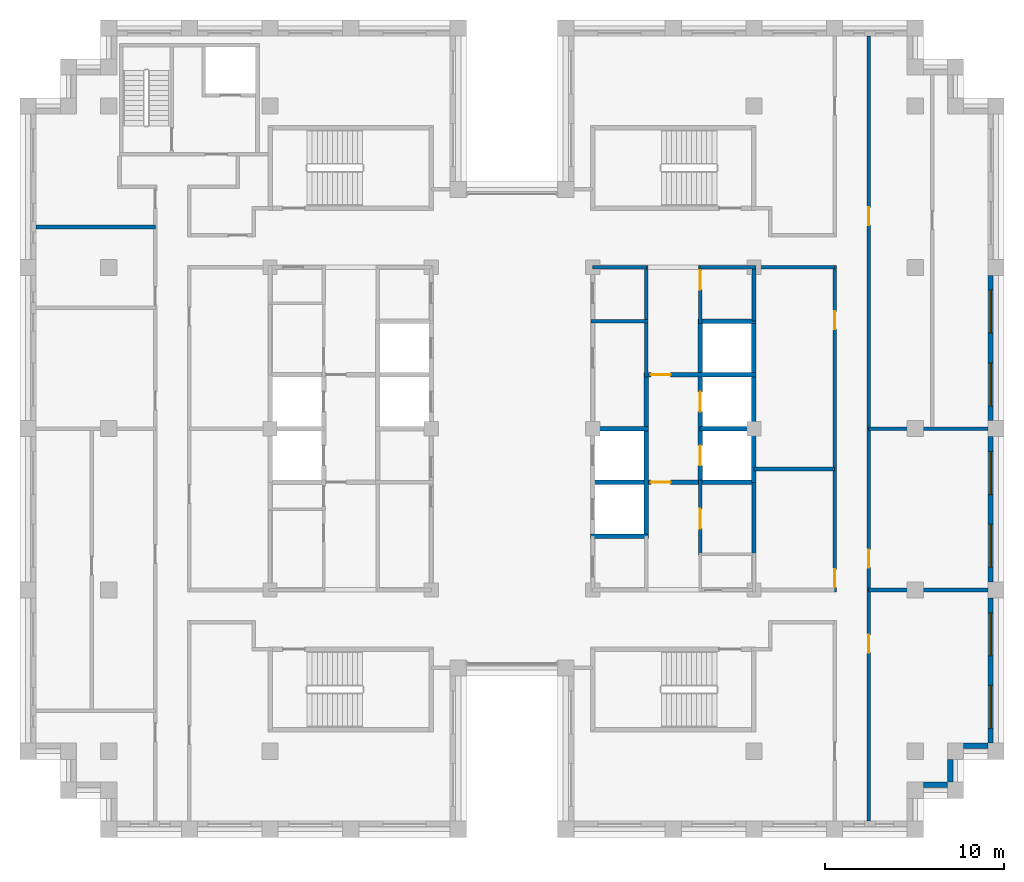
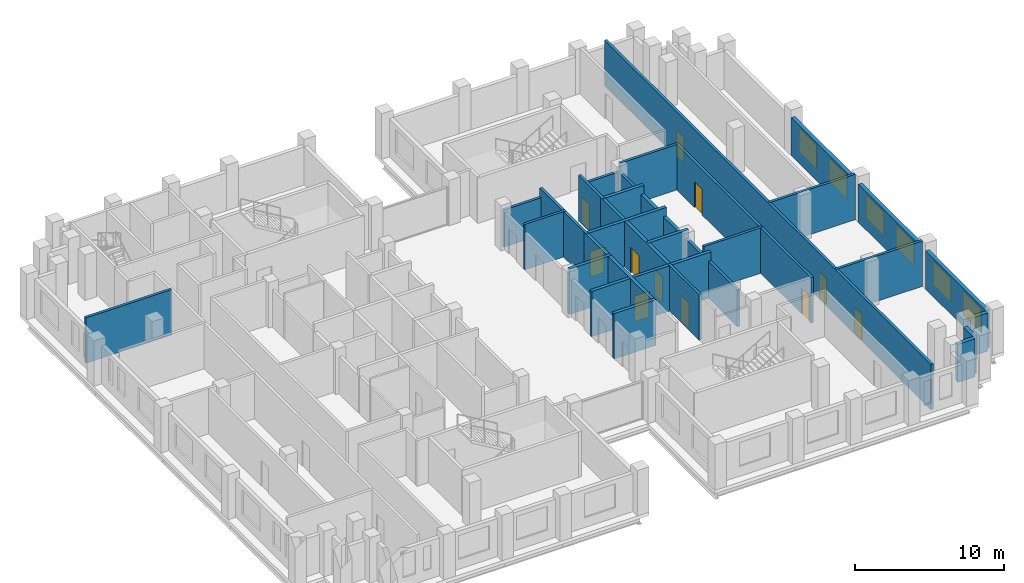
# One storey, part 9 of 13: 30 walls, 11 doors, 6 windows, 17 openings.
"""IFC4 building model written with IfcOpenShell, lengths in metres."""

from ifc_helpers import new_model, si_unit, direction, frame, frame_2d, origin, place, context, subcontext, project, spatial, rectangle, extrude, material, layer, layer_set, type_object, element, fill, save


model = new_model("IFC4")

# Units and contexts
model_context = context("Model", 3, precision=1e-05, world=origin(), true_north=direction((0.0, 1.0)))
body_context = subcontext(model_context, "Body", "Model", "MODEL_VIEW")
ifc_project = project(units=[si_unit("LENGTHUNIT", "METRE"), si_unit("AREAUNIT", "SQUARE_METRE"), si_unit("VOLUMEUNIT", "CUBIC_METRE"), si_unit("PLANEANGLEUNIT", "RADIAN"), si_unit("MASSUNIT", "GRAM", prefix="KILO")], contexts=[model_context])

# Site, building, storey
site_placement = place(None, origin())
site = spatial("IfcSite", under=ifc_project, at=site_placement, CompositionType="ELEMENT")
building_placement = place(site_placement, origin())
building = spatial("IfcBuilding", under=site, at=building_placement, Name="Corbelhall Arena Tower", CompositionType="ELEMENT")
storey_placement = place(building_placement, frame((0.0, 0.0, 266.0)))
storey = spatial("IfcBuildingStorey", under=building, at=storey_placement, Name="L57", CompositionType="ELEMENT", Elevation=266.0)

# Walls
ifc_material_1 = material(Name="Precast concrete C40/50 with granite facing", Category="masonry")
ifc_layer_1 = layer(ifc_material_1, 0.300048828125)
ifc_layer_set_1 = layer_set([ifc_layer_1], Name="EV-IW1 Infill panel 300")
wall_type_1 = type_object("IfcWallType", Name="EV-IW1 Infill panel 300", PredefinedType="SOLIDWALL", material=ifc_layer_set_1)
wall_1_placement = place(storey_placement, frame((22.949951171875, -19.875, 0.0), z_axis=(0.0, 0.0, 1.0), x_axis=(1.0, 0.0, 0.0)))
element("IfcWall", 1, at=wall_1_placement, inside=storey, type_object=wall_type_1, Name="Infill panel IW1", PredefinedType="SOLIDWALL", context=body_context, shape_type="SweptSolid", body=[
    extrude(rectangle(XDim=1.35009765625, YDim=0.300048828125, at=frame_2d((0.675048828125, 0.0))), origin(), (0.0, 0.0, 1.0), 3.1201171875),
])
wall_2_placement = place(storey_placement, frame((24.449951171875, -19.72509765625, 0.0), z_axis=(0.0, 0.0, 1.0), x_axis=(0.0, 1.0, 0.0)))
element("IfcWall", 2, at=wall_2_placement, inside=storey, type_object=wall_type_1, Name="Infill panel IW1", PredefinedType="SOLIDWALL", context=body_context, shape_type="SweptSolid", body=[
    extrude(rectangle(XDim=1.275146484375, YDim=0.300048828125, at=frame_2d((0.6376953125, 0.0))), origin(), (0.0, 0.0, 1.0), 3.1201171875),
])
wall_3_placement = place(storey_placement, frame((25.199951171875, -17.699951171875, 0.0), z_axis=(0.0, 0.0, 1.0), x_axis=(1.0, 0.0, 0.0)))
element("IfcWall", 3, at=wall_3_placement, inside=storey, type_object=wall_type_1, Name="Infill panel IW1", PredefinedType="SOLIDWALL", context=body_context, shape_type="SweptSolid", body=[
    extrude(rectangle(XDim=1.35009765625, YDim=0.300048828125, at=frame_2d((0.675048828125, 0.0))), origin(), (0.0, 0.0, 1.0), 3.1201171875),
])

# Wall, openings, windows
wall_4_placement = place(storey_placement, frame((26.699951171875, -17.550048828125, 0.0), z_axis=(0.0, 0.0, 1.0), x_axis=(0.0, 1.0, 0.0)))
wall_4 = element("IfcWall", 4, at=wall_4_placement, inside=storey, type_object=wall_type_1, Name="Infill panel IW1", PredefinedType="SOLIDWALL", context=body_context, shape_type="SweptSolid", body=[
    extrude(rectangle(XDim=8.10009765625, YDim=0.300048828125, at=frame_2d((4.050048828125, 0.0))), origin(), (0.0, 0.0, 1.0), 3.1201171875),
])
opening_1_placement = place(wall_4_placement, frame((0.824951171875, 0.0, 0.800048828125)))
opening_1 = element("IfcOpeningElement", 5, at=opening_1_placement, cuts=wall_4, Name="Opening WN1", PredefinedType="OPENING", context=body_context, shape_type="SweptSolid", body=[
    extrude(rectangle(XDim=2.39990234375, YDim=1.949951171875, at=frame_2d((1.199951171875, 0.97509765625))), frame((0.0, 0.14990234375, 0.0), z_axis=(0.0, -1.0, 0.0), x_axis=(1.0, 0.0, 0.0)), (0.0, 0.0, 1.0), 0.300048828125),
])
opening_2_placement = place(wall_4_placement, frame((4.875, 0.0, 0.800048828125)))
opening_2 = element("IfcOpeningElement", 6, at=opening_2_placement, cuts=wall_4, Name="Opening WN1", PredefinedType="OPENING", context=body_context, shape_type="SweptSolid", body=[
    extrude(rectangle(XDim=2.39990234375, YDim=1.949951171875, at=frame_2d((1.199951171875, 0.97509765625))), frame((0.0, 0.14990234375, 0.0), z_axis=(0.0, -1.0, 0.0), x_axis=(1.0, 0.0, 0.0)), (0.0, 0.0, 1.0), 0.300048828125),
])
ifc_material_2 = material(Name="Aluminium black anodised", Category="aluminium")
window_type = type_object("IfcWindowType", Name="EV-WN1 Office window", PartitioningType="SINGLE_PANEL", PredefinedType="WINDOW", material=ifc_material_2)
window_1_placement = place(opening_1_placement, origin())
window_1 = element("IfcWindow", 7, at=window_1_placement, inside=storey, type_object=window_type, Name="Window WN1", OverallHeight=1.949951171875, OverallWidth=2.39990234375, PartitioningType="SINGLE_PANEL", PredefinedType="WINDOW", context=body_context, shape_type="SweptSolid", body=[
    extrude(rectangle(XDim=2.39990234375, YDim=1.949951171875, at=frame_2d((1.199951171875, 0.97509765625))), frame((0.0, 0.030029296875, 0.0), z_axis=(0.0, -1.0, 0.0), x_axis=(1.0, 0.0, 0.0)), (0.0, 0.0, 1.0), 0.06005859375),
])
fill(opening_1, window_1)
window_2_placement = place(opening_2_placement, origin())
window_2 = element("IfcWindow", 8, at=window_2_placement, inside=storey, type_object=window_type, Name="Window WN1", OverallHeight=1.949951171875, OverallWidth=2.39990234375, PartitioningType="SINGLE_PANEL", PredefinedType="WINDOW", context=body_context, shape_type="SweptSolid", body=[
    extrude(rectangle(XDim=2.39990234375, YDim=1.949951171875, at=frame_2d((1.199951171875, 0.97509765625))), frame((0.0, 0.030029296875, 0.0), z_axis=(0.0, -1.0, 0.0), x_axis=(1.0, 0.0, 0.0)), (0.0, 0.0, 1.0), 0.06005859375),
])
fill(opening_2, window_2)

wall_5_placement = place(storey_placement, frame((26.699951171875, -8.550048828125, 0.0), z_axis=(0.0, 0.0, 1.0), x_axis=(0.0, 1.0, 0.0)))
wall_5 = element("IfcWall", 9, at=wall_5_placement, inside=storey, type_object=wall_type_1, Name="Infill panel IW1", PredefinedType="SOLIDWALL", context=body_context, shape_type="SweptSolid", body=[
    extrude(rectangle(XDim=8.10009765625, YDim=0.300048828125, at=frame_2d((4.050048828125, 0.0))), origin(), (0.0, 0.0, 1.0), 3.1201171875),
])
opening_3_placement = place(wall_5_placement, frame((0.824951171875, 0.0, 0.800048828125)))
opening_3 = element("IfcOpeningElement", 10, at=opening_3_placement, cuts=wall_5, Name="Opening WN1", PredefinedType="OPENING", context=body_context, shape_type="SweptSolid", body=[
    extrude(rectangle(XDim=2.39990234375, YDim=1.949951171875, at=frame_2d((1.199951171875, 0.97509765625))), frame((0.0, 0.14990234375, 0.0), z_axis=(0.0, -1.0, 0.0), x_axis=(1.0, 0.0, 0.0)), (0.0, 0.0, 1.0), 0.300048828125),
])
opening_4_placement = place(wall_5_placement, frame((4.875, 0.0, 0.800048828125)))
opening_4 = element("IfcOpeningElement", 11, at=opening_4_placement, cuts=wall_5, Name="Opening WN1", PredefinedType="OPENING", context=body_context, shape_type="SweptSolid", body=[
    extrude(rectangle(XDim=2.39990234375, YDim=1.949951171875, at=frame_2d((1.199951171875, 0.97509765625))), frame((0.0, 0.14990234375, 0.0), z_axis=(0.0, -1.0, 0.0), x_axis=(1.0, 0.0, 0.0)), (0.0, 0.0, 1.0), 0.300048828125),
])
window_3_placement = place(opening_3_placement, origin())
window_3 = element("IfcWindow", 12, at=window_3_placement, inside=storey, type_object=window_type, Name="Window WN1", OverallHeight=1.949951171875, OverallWidth=2.39990234375, PartitioningType="SINGLE_PANEL", PredefinedType="WINDOW", context=body_context, shape_type="SweptSolid", body=[
    extrude(rectangle(XDim=2.39990234375, YDim=1.949951171875, at=frame_2d((1.199951171875, 0.97509765625))), frame((0.0, 0.030029296875, 0.0), z_axis=(0.0, -1.0, 0.0), x_axis=(1.0, 0.0, 0.0)), (0.0, 0.0, 1.0), 0.06005859375),
])
fill(opening_3, window_3)
window_4_placement = place(opening_4_placement, origin())
window_4 = element("IfcWindow", 13, at=window_4_placement, inside=storey, type_object=window_type, Name="Window WN1", OverallHeight=1.949951171875, OverallWidth=2.39990234375, PartitioningType="SINGLE_PANEL", PredefinedType="WINDOW", context=body_context, shape_type="SweptSolid", body=[
    extrude(rectangle(XDim=2.39990234375, YDim=1.949951171875, at=frame_2d((1.199951171875, 0.97509765625))), frame((0.0, 0.030029296875, 0.0), z_axis=(0.0, -1.0, 0.0), x_axis=(1.0, 0.0, 0.0)), (0.0, 0.0, 1.0), 0.06005859375),
])
fill(opening_4, window_4)

wall_6_placement = place(storey_placement, frame((26.699951171875, 0.449951171875, 0.0), z_axis=(0.0, 0.0, 1.0), x_axis=(0.0, 1.0, 0.0)))
wall_6 = element("IfcWall", 14, at=wall_6_placement, inside=storey, type_object=wall_type_1, Name="Infill panel IW1", PredefinedType="SOLIDWALL", context=body_context, shape_type="SweptSolid", body=[
    extrude(rectangle(XDim=8.10009765625, YDim=0.300048828125, at=frame_2d((4.050048828125, 0.0))), origin(), (0.0, 0.0, 1.0), 3.1201171875),
])
opening_5_placement = place(wall_6_placement, frame((0.824951171875, 0.0, 0.800048828125)))
opening_5 = element("IfcOpeningElement", 15, at=opening_5_placement, cuts=wall_6, Name="Opening WN1", PredefinedType="OPENING", context=body_context, shape_type="SweptSolid", body=[
    extrude(rectangle(XDim=2.39990234375, YDim=1.949951171875, at=frame_2d((1.199951171875, 0.97509765625))), frame((0.0, 0.14990234375, 0.0), z_axis=(0.0, -1.0, 0.0), x_axis=(1.0, 0.0, 0.0)), (0.0, 0.0, 1.0), 0.300048828125),
])
opening_6_placement = place(wall_6_placement, frame((4.875, 0.0, 0.800048828125)))
opening_6 = element("IfcOpeningElement", 16, at=opening_6_placement, cuts=wall_6, Name="Opening WN1", PredefinedType="OPENING", context=body_context, shape_type="SweptSolid", body=[
    extrude(rectangle(XDim=2.39990234375, YDim=1.949951171875, at=frame_2d((1.199951171875, 0.97509765625))), frame((0.0, 0.14990234375, 0.0), z_axis=(0.0, -1.0, 0.0), x_axis=(1.0, 0.0, 0.0)), (0.0, 0.0, 1.0), 0.300048828125),
])
window_5_placement = place(opening_5_placement, origin())
window_5 = element("IfcWindow", 17, at=window_5_placement, inside=storey, type_object=window_type, Name="Window WN1", OverallHeight=1.949951171875, OverallWidth=2.39990234375, PartitioningType="SINGLE_PANEL", PredefinedType="WINDOW", context=body_context, shape_type="SweptSolid", body=[
    extrude(rectangle(XDim=2.39990234375, YDim=1.949951171875, at=frame_2d((1.199951171875, 0.97509765625))), frame((0.0, 0.030029296875, 0.0), z_axis=(0.0, -1.0, 0.0), x_axis=(1.0, 0.0, 0.0)), (0.0, 0.0, 1.0), 0.06005859375),
])
fill(opening_5, window_5)
window_6_placement = place(opening_6_placement, origin())
window_6 = element("IfcWindow", 18, at=window_6_placement, inside=storey, type_object=window_type, Name="Window WN1", OverallHeight=1.949951171875, OverallWidth=2.39990234375, PartitioningType="SINGLE_PANEL", PredefinedType="WINDOW", context=body_context, shape_type="SweptSolid", body=[
    extrude(rectangle(XDim=2.39990234375, YDim=1.949951171875, at=frame_2d((1.199951171875, 0.97509765625))), frame((0.0, 0.030029296875, 0.0), z_axis=(0.0, -1.0, 0.0), x_axis=(1.0, 0.0, 0.0)), (0.0, 0.0, 1.0), 0.06005859375),
])
fill(opening_6, window_6)

# Walls
ifc_material_3 = material(Name="Gypsum board on steel stud, acoustic", Category="steel")
ifc_layer_2 = layer(ifc_material_3, 0.199951171875)
ifc_layer_set_2 = layer_set([ifc_layer_2], Name="IN-W-DM200")
wall_type_2 = type_object("IfcWallType", Name="IN-W-DM200", PredefinedType="PARTITIONING", material=ifc_layer_set_2)
wall_7_placement = place(storey_placement, frame((-26.550048828125, 11.25, 0.0), z_axis=(0.0, 0.0, 1.0), x_axis=(1.0, 0.0, 0.0)))
element("IfcWall", 19, at=wall_7_placement, inside=storey, type_object=wall_type_2, Name="Partition 003", PredefinedType="PARTITIONING", context=body_context, shape_type="SweptSolid", body=[
    extrude(rectangle(XDim=6.650146484375, YDim=0.199951171875, at=frame_2d((3.3251953125, 0.0))), origin(), (0.0, 0.0, 1.0), 3.719970703125),
])
for number, where, z_axis, x_axis, name in (
    (20, (13.5, -2.25, 0.0), (0.0, 0.0, 1.0), (1.0, 0.0, 0.0), "Partition 029"),
    (21, (18.0, 9.0, 0.0), (0.0, 0.0, 1.0), (-1.0, 0.0, 0.0), "Partition 032"),
):
    element("IfcWall", number, at=place(storey_placement, frame(where, z_axis=z_axis, x_axis=x_axis)), inside=storey, type_object=wall_type_2, Name=name, PredefinedType="PARTITIONING", context=body_context, shape_type="SweptSolid", body=[
        extrude(rectangle(XDim=4.5, YDim=0.199951171875, at=frame_2d((2.25, 0.0))), origin(), (0.0, 0.0, 1.0), 3.719970703125),
    ])

# Wall, openings, doors
wall_8_placement = place(storey_placement, frame((18.0, -9.10009765625, 0.0), z_axis=(0.0, 0.0, 1.0), x_axis=(0.0, 1.0, 0.0)))
wall_8 = element("IfcWall", 22, at=wall_8_placement, inside=storey, type_object=wall_type_2, Name="Partition 037", PredefinedType="PARTITIONING", context=body_context, shape_type="SweptSolid", body=[
    extrude(rectangle(XDim=18.2001953125, YDim=0.199951171875, at=frame_2d((9.10009765625, 0.0))), origin(), (0.0, 0.0, 1.0), 3.719970703125),
])
opening_7_placement = place(wall_8_placement, frame((0.25, 0.0, 0.0)))
opening_7 = element("IfcOpeningElement", 23, at=opening_7_placement, cuts=wall_8, Name="Opening 18024", PredefinedType="OPENING", context=body_context, shape_type="SweptSolid", body=[
    extrude(rectangle(XDim=1.0, YDim=2.10009765625, at=frame_2d((0.5, 1.050048828125))), frame((0.0, 0.10009765625, 0.0), z_axis=(0.0, -1.0, 0.0), x_axis=(1.0, 0.0, 0.0)), (0.0, 0.0, 1.0), 0.199951171875),
])
opening_8_placement = place(wall_8_placement, frame((14.64990234375, 0.0, 0.0)))
opening_8 = element("IfcOpeningElement", 24, at=opening_8_placement, cuts=wall_8, Name="Opening 18025", PredefinedType="OPENING", context=body_context, shape_type="SweptSolid", body=[
    extrude(rectangle(XDim=1.0, YDim=2.10009765625, at=frame_2d((0.5, 1.050048828125))), frame((0.0, 0.10009765625, 0.0), z_axis=(0.0, -1.0, 0.0), x_axis=(1.0, 0.0, 0.0)), (0.0, 0.0, 1.0), 0.199951171875),
])
ifc_material_4 = material(Name="Steel door set", Category="steel")
door_type_1 = type_object("IfcDoorType", Name="IN-D-SW100", OperationType="NOTDEFINED", PredefinedType="DOOR", material=ifc_material_4)
door_1_placement = place(opening_7_placement, origin())
door_1 = element("IfcDoor", 25, at=door_1_placement, inside=storey, type_object=door_type_1, Name="Door 024", OperationType="SINGLE_SWING_LEFT", OverallHeight=2.10009765625, OverallWidth=1.0, PredefinedType="DOOR", context=body_context, shape_type="SweptSolid", body=[
    extrude(rectangle(XDim=1.0, YDim=2.10009765625, at=frame_2d((0.5, 1.050048828125))), frame((0.0, 0.02490234375, 0.0), z_axis=(0.0, -1.0, 0.0), x_axis=(1.0, 0.0, 0.0)), (0.0, 0.0, 1.0), 0.050048828125),
])
fill(opening_7, door_1)
door_2_placement = place(opening_8_placement, origin())
door_2 = element("IfcDoor", 26, at=door_2_placement, inside=storey, type_object=door_type_1, Name="Door 025", OperationType="SINGLE_SWING_RIGHT", OverallHeight=2.10009765625, OverallWidth=1.0, PredefinedType="DOOR", context=body_context, shape_type="SweptSolid", body=[
    extrude(rectangle(XDim=1.0, YDim=2.10009765625, at=frame_2d((0.5, 1.050048828125))), frame((0.0, 0.02490234375, 0.0), z_axis=(0.0, -1.0, 0.0), x_axis=(1.0, 0.0, 0.0)), (0.0, 0.0, 1.0), 0.050048828125),
])
fill(opening_8, door_2)

wall_9_placement = place(storey_placement, frame((19.89990234375, 21.89990234375, 0.0), z_axis=(0.0, 0.0, 1.0), x_axis=(0.0, -1.0, 0.0)))
wall_9 = element("IfcWall", 27, at=wall_9_placement, inside=storey, type_object=wall_type_2, Name="Partition 039", PredefinedType="PARTITIONING", context=body_context, shape_type="SweptSolid", body=[
    extrude(rectangle(XDim=43.7998046875, YDim=0.199951171875, at=frame_2d((21.89990234375, 0.0))), origin(), (0.0, 0.0, 1.0), 3.719970703125),
])
opening_9_placement = place(wall_9_placement, frame((9.550048828125, 0.0, 0.0)))
opening_9 = element("IfcOpeningElement", 28, at=opening_9_placement, cuts=wall_9, Name="Opening 18036", PredefinedType="OPENING", context=body_context, shape_type="SweptSolid", body=[
    extrude(rectangle(XDim=1.0, YDim=2.10009765625, at=frame_2d((0.5, 1.050048828125))), frame((0.0, 0.10009765625, 0.0), z_axis=(0.0, -1.0, 0.0), x_axis=(1.0, 0.0, 0.0)), (0.0, 0.0, 1.0), 0.199951171875),
])
opening_10_placement = place(wall_9_placement, frame((33.39990234375, 0.0, 0.0)))
opening_10 = element("IfcOpeningElement", 29, at=opening_10_placement, cuts=wall_9, Name="Opening 18038", PredefinedType="OPENING", context=body_context, shape_type="SweptSolid", body=[
    extrude(rectangle(XDim=1.0, YDim=2.10009765625, at=frame_2d((0.5, 1.050048828125))), frame((0.0, 0.10009765625, 0.0), z_axis=(0.0, -1.0, 0.0), x_axis=(1.0, 0.0, 0.0)), (0.0, 0.0, 1.0), 0.199951171875),
])
opening_11_placement = place(wall_9_placement, frame((28.64990234375, 0.0, 0.0)))
opening_11 = element("IfcOpeningElement", 30, at=opening_11_placement, cuts=wall_9, Name="Opening 18039", PredefinedType="OPENING", context=body_context, shape_type="SweptSolid", body=[
    extrude(rectangle(XDim=1.0, YDim=2.10009765625, at=frame_2d((0.5, 1.050048828125))), frame((0.0, 0.10009765625, 0.0), z_axis=(0.0, -1.0, 0.0), x_axis=(1.0, 0.0, 0.0)), (0.0, 0.0, 1.0), 0.199951171875),
])
door_3_placement = place(opening_9_placement, origin())
door_3 = element("IfcDoor", 31, at=door_3_placement, inside=storey, type_object=door_type_1, Name="Door 036", OperationType="SINGLE_SWING_LEFT", OverallHeight=2.10009765625, OverallWidth=1.0, PredefinedType="DOOR", context=body_context, shape_type="SweptSolid", body=[
    extrude(rectangle(XDim=1.0, YDim=2.10009765625, at=frame_2d((0.5, 1.050048828125))), frame((0.0, 0.02490234375, 0.0), z_axis=(0.0, -1.0, 0.0), x_axis=(1.0, 0.0, 0.0)), (0.0, 0.0, 1.0), 0.050048828125),
])
fill(opening_9, door_3)
door_4_placement = place(opening_10_placement, origin())
door_4 = element("IfcDoor", 32, at=door_4_placement, inside=storey, type_object=door_type_1, Name="Door 038", OperationType="SINGLE_SWING_LEFT", OverallHeight=2.10009765625, OverallWidth=1.0, PredefinedType="DOOR", context=body_context, shape_type="SweptSolid", body=[
    extrude(rectangle(XDim=1.0, YDim=2.10009765625, at=frame_2d((0.5, 1.050048828125))), frame((0.0, 0.02490234375, 0.0), z_axis=(0.0, -1.0, 0.0), x_axis=(1.0, 0.0, 0.0)), (0.0, 0.0, 1.0), 0.050048828125),
])
fill(opening_10, door_4)
door_5_placement = place(opening_11_placement, origin())
door_5 = element("IfcDoor", 33, at=door_5_placement, inside=storey, type_object=door_type_1, Name="Door 039", OperationType="SINGLE_SWING_RIGHT", OverallHeight=2.10009765625, OverallWidth=1.0, PredefinedType="DOOR", context=body_context, shape_type="SweptSolid", body=[
    extrude(rectangle(XDim=1.0, YDim=2.10009765625, at=frame_2d((0.5, 1.050048828125))), frame((0.0, 0.02490234375, 0.0), z_axis=(0.0, -1.0, 0.0), x_axis=(1.0, 0.0, 0.0)), (0.0, 0.0, 1.0), 0.050048828125),
])
fill(opening_11, door_5)

# Walls
for number, where, z_axis, x_axis, name in (
    (34, (19.89990234375, -9.0, 0.0), (0.0, 0.0, 1.0), (1.0, 0.0, 0.0), "Partition 040"),
    (35, (26.550048828125, 0.0, 0.0), (0.0, 0.0, 1.0), (-1.0, 0.0, 0.0), "Partition 041"),
):
    element("IfcWall", number, at=place(storey_placement, frame(where, z_axis=z_axis, x_axis=x_axis)), inside=storey, type_object=wall_type_2, Name=name, PredefinedType="PARTITIONING", context=body_context, shape_type="SweptSolid", body=[
        extrude(rectangle(XDim=6.650146484375, YDim=0.199951171875, at=frame_2d((3.3251953125, 0.0))), origin(), (0.0, 0.0, 1.0), 3.719970703125),
    ])
ifc_material_5 = material(Name="Concrete block wall", Category="concrete")
ifc_layer_3 = layer(ifc_material_5, 0.199951171875)
ifc_layer_set_3 = layer_set([ifc_layer_3], Name="IN-W-RS200")
wall_type_3 = type_object("IfcWallType", Name="IN-W-RS200", PredefinedType="SOLIDWALL", material=ifc_layer_set_3)
wall_10_placement = place(storey_placement, frame((4.39990234375, 6.0, 0.0), z_axis=(0.0, 0.0, 1.0), x_axis=(1.0, 0.0, 0.0)))
element("IfcWall", 36, at=wall_10_placement, inside=storey, type_object=wall_type_3, Name="Partition 055", PredefinedType="SOLIDWALL", context=body_context, shape_type="SweptSolid", body=[
    extrude(rectangle(XDim=3.2001953125, YDim=0.199951171875, at=frame_2d((1.60009765625, 0.0))), origin(), (0.0, 0.0, 1.0), 3.719970703125),
])
wall_11_placement = place(storey_placement, frame((7.5, 9.10009765625, 0.0), z_axis=(0.0, 0.0, 1.0), x_axis=(0.0, -1.0, 0.0)))
element("IfcWall", 37, at=wall_11_placement, inside=storey, type_object=wall_type_3, Name="Partition 061", PredefinedType="SOLIDWALL", context=body_context, shape_type="SweptSolid", body=[
    extrude(rectangle(XDim=6.22509765625, YDim=0.199951171875, at=frame_2d((3.112548828125, 0.0))), origin(), (0.0, 0.0, 1.0), 3.719970703125),
])

# Wall, opening, door
wall_12_placement = place(storey_placement, frame((10.5, -2.875, 0.0), z_axis=(0.0, 0.0, 1.0), x_axis=(0.0, -1.0, 0.0)))
wall_12 = element("IfcWall", 38, at=wall_12_placement, inside=storey, type_object=wall_type_3, Name="Partition 062", PredefinedType="SOLIDWALL", context=body_context, shape_type="SweptSolid", body=[
    extrude(rectangle(XDim=4.199951171875, YDim=0.199951171875, at=frame_2d((2.10009765625, 0.0))), origin(), (0.0, 0.0, 1.0), 3.719970703125),
])
opening_12_placement = place(wall_12_placement, frame((1.60009765625, 0.0, 0.0)))
opening_12 = element("IfcOpeningElement", 39, at=opening_12_placement, cuts=wall_12, Name="Opening 18016", PredefinedType="OPENING", context=body_context, shape_type="SweptSolid", body=[
    extrude(rectangle(XDim=1.10009765625, YDim=2.10009765625, at=frame_2d((0.550048828125, 1.050048828125))), frame((0.0, 0.10009765625, 0.0), z_axis=(0.0, -1.0, 0.0), x_axis=(1.0, 0.0, 0.0)), (0.0, 0.0, 1.0), 0.199951171875),
])
door_type_2 = type_object("IfcDoorType", Name="IN-D-FD110", OperationType="NOTDEFINED", PredefinedType="DOOR", material=ifc_material_4)
door_6_placement = place(opening_12_placement, origin())
door_6 = element("IfcDoor", 40, at=door_6_placement, inside=storey, type_object=door_type_2, Name="Door 016", OperationType="SINGLE_SWING_LEFT", OverallHeight=2.10009765625, OverallWidth=1.10009765625, PredefinedType="DOOR", context=body_context, shape_type="SweptSolid", body=[
    extrude(rectangle(XDim=1.10009765625, YDim=2.10009765625, at=frame_2d((0.550048828125, 1.050048828125))), frame((0.0, 0.02490234375, 0.0), z_axis=(0.0, -1.0, 0.0), x_axis=(1.0, 0.0, 0.0)), (0.0, 0.0, 1.0), 0.050048828125),
])
fill(opening_12, door_6)

wall_13_placement = place(storey_placement, frame((10.5, 9.10009765625, 0.0), z_axis=(0.0, 0.0, 1.0), x_axis=(0.0, -1.0, 0.0)))
wall_13 = element("IfcWall", 41, at=wall_13_placement, inside=storey, type_object=wall_type_3, Name="Partition 064", PredefinedType="SOLIDWALL", context=body_context, shape_type="SweptSolid", body=[
    extrude(rectangle(XDim=3.22509765625, YDim=0.199951171875, at=frame_2d((1.612548828125, 0.0))), origin(), (0.0, 0.0, 1.0), 3.719970703125),
])
opening_13_placement = place(wall_13_placement, frame((0.25, 0.0, 0.0)))
opening_13 = element("IfcOpeningElement", 42, at=opening_13_placement, cuts=wall_13, Name="Opening 18017", PredefinedType="OPENING", context=body_context, shape_type="SweptSolid", body=[
    extrude(rectangle(XDim=1.10009765625, YDim=2.10009765625, at=frame_2d((0.550048828125, 1.050048828125))), frame((0.0, 0.10009765625, 0.0), z_axis=(0.0, -1.0, 0.0), x_axis=(1.0, 0.0, 0.0)), (0.0, 0.0, 1.0), 0.199951171875),
])
door_7_placement = place(opening_13_placement, origin())
door_7 = element("IfcDoor", 43, at=door_7_placement, inside=storey, type_object=door_type_2, Name="Door 017", OperationType="SINGLE_SWING_RIGHT", OverallHeight=2.10009765625, OverallWidth=1.10009765625, PredefinedType="DOOR", context=body_context, shape_type="SweptSolid", body=[
    extrude(rectangle(XDim=1.10009765625, YDim=2.10009765625, at=frame_2d((0.550048828125, 1.050048828125))), frame((0.0, 0.02490234375, 0.0), z_axis=(0.0, -1.0, 0.0), x_axis=(1.0, 0.0, 0.0)), (0.0, 0.0, 1.0), 0.050048828125),
])
fill(opening_13, door_7)

# Walls
ifc_layer_4 = layer(ifc_material_5, 0.199951171875)
ifc_layer_set_4 = layer_set([ifc_layer_4], Name="IN-W-RS200 under beam 678 mm")
wall_type_4 = type_object("IfcWallType", Name="IN-W-RS200 under beam 678 mm", PredefinedType="SOLIDWALL", material=ifc_layer_set_4)
wall_14_placement = place(storey_placement, frame((4.5, 9.0, 0.0), z_axis=(0.0, 0.0, 1.0), x_axis=(1.0, 0.0, 0.0)))
element("IfcWall", 44, at=wall_14_placement, inside=storey, type_object=wall_type_4, Name="Partition 058", PredefinedType="SOLIDWALL", context=body_context, shape_type="SweptSolid", body=[
    extrude(rectangle(XDim=3.0, YDim=0.199951171875, at=frame_2d((1.5, 0.0))), origin(), (0.0, 0.0, 1.0), 3.041748046875),
])
wall_15_placement = place(storey_placement, frame((10.5, 9.0, 0.0), z_axis=(0.0, 0.0, 1.0), x_axis=(1.0, 0.0, 0.0)))
element("IfcWall", 45, at=wall_15_placement, inside=storey, type_object=wall_type_4, Name="Partition 063", PredefinedType="SOLIDWALL", context=body_context, shape_type="SweptSolid", body=[
    extrude(rectangle(XDim=3.10009765625, YDim=0.199951171875, at=frame_2d((1.550048828125, 0.0))), origin(), (0.0, 0.0, 1.0), 3.041748046875),
])
wall_16_placement = place(storey_placement, frame((13.5, -3.0, 0.0), z_axis=(0.0, 0.0, 1.0), x_axis=(0.0, -1.0, 0.0)))
element("IfcWall", 46, at=wall_16_placement, inside=storey, type_object=wall_type_4, Name="Partition 065", PredefinedType="SOLIDWALL", context=body_context, shape_type="SweptSolid", body=[
    extrude(rectangle(XDim=4.0, YDim=0.199951171875, at=frame_2d((2.0, 0.0))), origin(), (0.0, 0.0, 1.0), 3.041748046875),
])
wall_17_placement = place(storey_placement, frame((13.5, 9.10009765625, 0.0), z_axis=(0.0, 0.0, 1.0), x_axis=(0.0, -1.0, 0.0)))
element("IfcWall", 47, at=wall_17_placement, inside=storey, type_object=wall_type_4, Name="Partition 066", PredefinedType="SOLIDWALL", context=body_context, shape_type="SweptSolid", body=[
    extrude(rectangle(XDim=3.10009765625, YDim=0.199951171875, at=frame_2d((1.550048828125, 0.0))), origin(), (0.0, 0.0, 1.0), 3.041748046875),
])
ifc_material_6 = material(Name="Concrete C40/50", Category="concrete")
ifc_layer_5 = layer(ifc_material_6, 0.25)
ifc_layer_set_5 = layer_set([ifc_layer_5], Name="IN-W-SH250")
wall_type_5 = type_object("IfcWallType", Name="IN-W-SH250", PredefinedType="SOLIDWALL", material=ifc_layer_set_5)
wall_18_placement = place(storey_placement, frame((4.375, -6.0, 0.0), z_axis=(0.0, 0.0, 1.0), x_axis=(1.0, 0.0, 0.0)))
element("IfcWall", 48, at=wall_18_placement, inside=storey, type_object=wall_type_5, Name="Shaft wall 076", PredefinedType="SOLIDWALL", context=body_context, shape_type="SweptSolid", body=[
    extrude(rectangle(XDim=3.25, YDim=0.25, at=frame_2d((1.625, 0.0))), origin(), (0.0, 0.0, 1.0), 3.719970703125),
])

# Wall, opening, door
wall_19_placement = place(storey_placement, frame((4.375, -3.0, 0.0), z_axis=(0.0, 0.0, 1.0), x_axis=(1.0, 0.0, 0.0)))
wall_19 = element("IfcWall", 49, at=wall_19_placement, inside=storey, type_object=wall_type_5, Name="Shaft wall 077", PredefinedType="SOLIDWALL", context=body_context, shape_type="SweptSolid", body=[
    extrude(rectangle(XDim=9.25, YDim=0.25, at=frame_2d((4.625, 0.0))), origin(), (0.0, 0.0, 1.0), 3.719970703125),
])
opening_14_placement = place(wall_19_placement, frame((3.375, 0.0, 0.0)))
opening_14 = element("IfcOpeningElement", 50, at=opening_14_placement, cuts=wall_19, Name="Opening 18013", PredefinedType="OPENING", context=body_context, shape_type="SweptSolid", body=[
    extrude(rectangle(XDim=1.10009765625, YDim=2.10009765625, at=frame_2d((0.550048828125, 1.050048828125))), frame((0.0, 0.125, 0.0), z_axis=(0.0, -1.0, 0.0), x_axis=(1.0, 0.0, 0.0)), (0.0, 0.0, 1.0), 0.25),
])
door_8_placement = place(opening_14_placement, origin())
door_8 = element("IfcDoor", 51, at=door_8_placement, inside=storey, type_object=door_type_2, Name="Door 013", OperationType="SINGLE_SWING_RIGHT", OverallHeight=2.10009765625, OverallWidth=1.10009765625, PredefinedType="DOOR", context=body_context, shape_type="SweptSolid", body=[
    extrude(rectangle(XDim=1.10009765625, YDim=2.10009765625, at=frame_2d((0.550048828125, 1.050048828125))), frame((0.0, 0.02490234375, 0.0), z_axis=(0.0, -1.0, 0.0), x_axis=(1.0, 0.0, 0.0)), (0.0, 0.0, 1.0), 0.050048828125),
])
fill(opening_14, door_8)

# Walls
wall_20_placement = place(storey_placement, frame((4.375, 0.0, 0.0), z_axis=(0.0, 0.0, 1.0), x_axis=(1.0, 0.0, 0.0)))
element("IfcWall", 52, at=wall_20_placement, inside=storey, type_object=wall_type_5, Name="Shaft wall 078", PredefinedType="SOLIDWALL", context=body_context, shape_type="SweptSolid", body=[
    extrude(rectangle(XDim=3.25, YDim=0.25, at=frame_2d((1.625, 0.0))), origin(), (0.0, 0.0, 1.0), 3.719970703125),
])
wall_21_placement = place(storey_placement, frame((7.5, 3.125, 0.0), z_axis=(0.0, 0.0, 1.0), x_axis=(0.0, -1.0, 0.0)))
element("IfcWall", 53, at=wall_21_placement, inside=storey, type_object=wall_type_5, Name="Shaft wall 080", PredefinedType="SOLIDWALL", context=body_context, shape_type="SweptSolid", body=[
    extrude(rectangle(XDim=9.125, YDim=0.25, at=frame_2d((4.5625, 0.0))), origin(), (0.0, 0.0, 1.0), 3.719970703125),
])

# Wall, opening, door
wall_22_placement = place(storey_placement, frame((7.5, 3.0, 0.0), z_axis=(0.0, 0.0, 1.0), x_axis=(1.0, 0.0, 0.0)))
wall_22 = element("IfcWall", 54, at=wall_22_placement, inside=storey, type_object=wall_type_5, Name="Shaft wall 081", PredefinedType="SOLIDWALL", context=body_context, shape_type="SweptSolid", body=[
    extrude(rectangle(XDim=6.125, YDim=0.25, at=frame_2d((3.0625, 0.0))), origin(), (0.0, 0.0, 1.0), 3.719970703125),
])
opening_15_placement = place(wall_22_placement, frame((0.25, 0.0, 0.0)))
opening_15 = element("IfcOpeningElement", 55, at=opening_15_placement, cuts=wall_22, Name="Opening 18014", PredefinedType="OPENING", context=body_context, shape_type="SweptSolid", body=[
    extrude(rectangle(XDim=1.10009765625, YDim=2.10009765625, at=frame_2d((0.550048828125, 1.050048828125))), frame((0.0, 0.125, 0.0), z_axis=(0.0, -1.0, 0.0), x_axis=(1.0, 0.0, 0.0)), (0.0, 0.0, 1.0), 0.25),
])
door_9_placement = place(opening_15_placement, origin())
door_9 = element("IfcDoor", 56, at=door_9_placement, inside=storey, type_object=door_type_2, Name="Door 014", OperationType="SINGLE_SWING_LEFT", OverallHeight=2.10009765625, OverallWidth=1.10009765625, PredefinedType="DOOR", context=body_context, shape_type="SweptSolid", body=[
    extrude(rectangle(XDim=1.10009765625, YDim=2.10009765625, at=frame_2d((0.550048828125, 1.050048828125))), frame((0.0, 0.02490234375, 0.0), z_axis=(0.0, -1.0, 0.0), x_axis=(1.0, 0.0, 0.0)), (0.0, 0.0, 1.0), 0.050048828125),
])
fill(opening_15, door_9)

# Wall
wall_23_placement = place(storey_placement, frame((10.5, 0.0, 0.0), z_axis=(0.0, 0.0, 1.0), x_axis=(1.0, 0.0, 0.0)))
element("IfcWall", 57, at=wall_23_placement, inside=storey, type_object=wall_type_5, Name="Shaft wall 082", PredefinedType="SOLIDWALL", context=body_context, shape_type="SweptSolid", body=[
    extrude(rectangle(XDim=3.125, YDim=0.25, at=frame_2d((1.5625, 0.0))), origin(), (0.0, 0.0, 1.0), 3.719970703125),
])

# Wall, openings, doors
wall_24_placement = place(storey_placement, frame((10.5, 6.125, 0.0), z_axis=(0.0, 0.0, 1.0), x_axis=(0.0, -1.0, 0.0)))
wall_24 = element("IfcWall", 58, at=wall_24_placement, inside=storey, type_object=wall_type_5, Name="Shaft wall 083", PredefinedType="SOLIDWALL", context=body_context, shape_type="SweptSolid", body=[
    extrude(rectangle(XDim=9.25, YDim=0.25, at=frame_2d((4.625, 0.0))), origin(), (0.0, 0.0, 1.0), 3.719970703125),
])
opening_16_placement = place(wall_24_placement, frame((7.074951171875, 0.0, 0.0)))
opening_16 = element("IfcOpeningElement", 59, at=opening_16_placement, cuts=wall_24, Name="Opening LD", PredefinedType="OPENING", context=body_context, shape_type="SweptSolid", body=[
    extrude(rectangle(XDim=1.10009765625, YDim=2.10009765625, at=frame_2d((0.550048828125, 1.050048828125))), frame((0.0, 0.125, 0.0), z_axis=(0.0, -1.0, 0.0), x_axis=(1.0, 0.0, 0.0)), (0.0, 0.0, 1.0), 0.25),
])
opening_17_placement = place(wall_24_placement, frame((4.074951171875, 0.0, 0.0)))
opening_17 = element("IfcOpeningElement", 60, at=opening_17_placement, cuts=wall_24, Name="Opening LD", PredefinedType="OPENING", context=body_context, shape_type="SweptSolid", body=[
    extrude(rectangle(XDim=1.10009765625, YDim=2.10009765625, at=frame_2d((0.550048828125, 1.050048828125))), frame((0.0, 0.125, 0.0), z_axis=(0.0, -1.0, 0.0), x_axis=(1.0, 0.0, 0.0)), (0.0, 0.0, 1.0), 0.25),
])
door_type_3 = type_object("IfcDoorType", Name="IN-D-LD110", OperationType="NOTDEFINED", PredefinedType="DOOR", material=ifc_material_4)
door_10_placement = place(opening_16_placement, origin())
door_10 = element("IfcDoor", 61, at=door_10_placement, inside=storey, type_object=door_type_3, Name="Landing door E3", OperationType="SLIDING_TO_LEFT", OverallHeight=2.10009765625, OverallWidth=1.10009765625, PredefinedType="DOOR", context=body_context, shape_type="SweptSolid", body=[
    extrude(rectangle(XDim=1.10009765625, YDim=2.10009765625, at=frame_2d((0.550048828125, 1.050048828125))), frame((0.0, 0.02490234375, 0.0), z_axis=(0.0, -1.0, 0.0), x_axis=(1.0, 0.0, 0.0)), (0.0, 0.0, 1.0), 0.050048828125),
])
fill(opening_16, door_10)
door_11_placement = place(opening_17_placement, origin())
door_11 = element("IfcDoor", 62, at=door_11_placement, inside=storey, type_object=door_type_3, Name="Landing door E4", OperationType="SLIDING_TO_LEFT", OverallHeight=2.10009765625, OverallWidth=1.10009765625, PredefinedType="DOOR", context=body_context, shape_type="SweptSolid", body=[
    extrude(rectangle(XDim=1.10009765625, YDim=2.10009765625, at=frame_2d((0.550048828125, 1.050048828125))), frame((0.0, 0.02490234375, 0.0), z_axis=(0.0, -1.0, 0.0), x_axis=(1.0, 0.0, 0.0)), (0.0, 0.0, 1.0), 0.050048828125),
])
fill(opening_17, door_11)

# Walls
wall_25_placement = place(storey_placement, frame((10.5, 6.0, 0.0), z_axis=(0.0, 0.0, 1.0), x_axis=(1.0, 0.0, 0.0)))
element("IfcWall", 63, at=wall_25_placement, inside=storey, type_object=wall_type_5, Name="Shaft wall 084", PredefinedType="SOLIDWALL", context=body_context, shape_type="SweptSolid", body=[
    extrude(rectangle(XDim=3.125, YDim=0.25, at=frame_2d((1.5625, 0.0))), origin(), (0.0, 0.0, 1.0), 3.719970703125),
])
ifc_layer_6 = layer(ifc_material_6, 0.25)
ifc_layer_set_6 = layer_set([ifc_layer_6], Name="IN-W-SH250 under beam 678 mm")
wall_type_6 = type_object("IfcWallType", Name="IN-W-SH250 under beam 678 mm", PredefinedType="SOLIDWALL", material=ifc_layer_set_6)
wall_26_placement = place(storey_placement, frame((13.5, 6.0, 0.0), z_axis=(0.0, 0.0, 1.0), x_axis=(0.0, -1.0, 0.0)))
element("IfcWall", 64, at=wall_26_placement, inside=storey, type_object=wall_type_6, Name="Shaft wall 085", PredefinedType="SOLIDWALL", context=body_context, shape_type="SweptSolid", body=[
    extrude(rectangle(XDim=9.0, YDim=0.25, at=frame_2d((4.5, 0.0))), origin(), (0.0, 0.0, 1.0), 3.041748046875),
])

save(model, "model.ifc")
